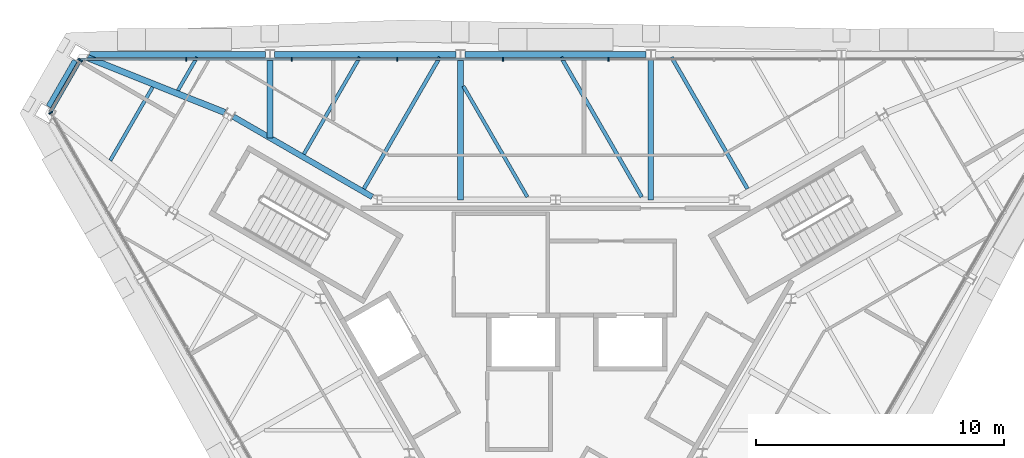
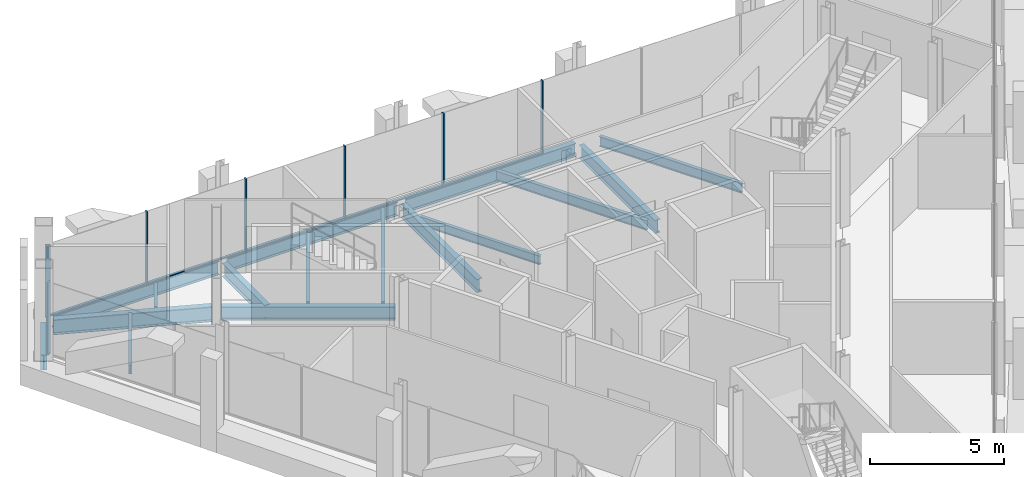
# One storey, part 6 of 13: 16 beams, 13 members, 3 elements without a shape of their own.
"""IFC4 building model written with IfcOpenShell, lengths in metres."""

from ifc_helpers import new_model, si_unit, direction, frame, origin, origin_2d, place, context, subcontext, project, spatial, rectangle, i_section, extrude, material, material_profile, profile_set, type_object, element, aggregate, save


model = new_model("IFC4")

# Units and contexts
model_context = context("Model", 3, precision=1e-05, world=origin(), true_north=direction((0.0, 1.0)))
body_context = subcontext(model_context, "Body", "Model", "MODEL_VIEW")
ifc_project = project(units=[si_unit("LENGTHUNIT", "METRE"), si_unit("AREAUNIT", "SQUARE_METRE"), si_unit("VOLUMEUNIT", "CUBIC_METRE"), si_unit("PLANEANGLEUNIT", "RADIAN"), si_unit("MASSUNIT", "GRAM", prefix="KILO")], contexts=[model_context])

# Site, building, storey
site_placement = place(None, origin())
site = spatial("IfcSite", under=ifc_project, at=site_placement, CompositionType="ELEMENT")
building_placement = place(site_placement, origin())
building = spatial("IfcBuilding", under=site, at=building_placement, Name="Verrane Prism Tower", CompositionType="ELEMENT")
storey_placement = place(building_placement, frame((0.0, 0.0, 312.60009765625)))
storey = spatial("IfcBuildingStorey", under=building, at=storey_placement, Name="L79", CompositionType="ELEMENT", Elevation=312.60009765625)

# Beams
ifc_material_1 = material(Name="Steel A992", Category="steel")
ifc_material_profile_1 = material_profile(ifc_material_1, i_section(OverallWidth=0.25390625, OverallDepth=0.683349609375, WebThickness=0.012451171875, FlangeThickness=0.01904296875, FilletRadius=0.01513671875, at=origin_2d()), Name="W27x94")
ifc_profile_set_1 = profile_set([ifc_material_profile_1], Name="Steel A992")
beam_type_1 = type_object("IfcBeamType", Name="Chamfer spandrel beam W27x94", PredefinedType="SPANDREL", material=ifc_profile_set_1)
beam_1_placement = place(storey_placement, frame((-19.320068359375, 12.390380859375, -0.501708984375), z_axis=(-0.500486898547, -0.865744110221, 0.0), x_axis=(0.865744110221, -0.500486898547, 0.0)))
element("IfcBeam", 1, at=beam_1_placement, inside=storey, type_object=beam_type_1, Name="Chamfer spandrel beam L79", PredefinedType="SPANDREL", context=body_context, shape_type="SweptSolid", body=[
    extrude(i_section(OverallWidth=0.25390625, OverallDepth=0.683349609375, WebThickness=0.012451171875, FlangeThickness=0.01904296875, FilletRadius=0.01513671875, at=origin_2d()), origin(), (0.0, 0.0, 1.0), 2.137451171875),
])
ifc_material_2 = material(Name="Steel A992", Category="steel")
ifc_material_profile_2 = material_profile(ifc_material_2, i_section(OverallWidth=0.228271484375, OverallDepth=0.607177734375, WebThickness=0.01123046875, FlangeThickness=0.017333984375, FilletRadius=0.0126953125, at=origin_2d()), Name="W24x76")
ifc_profile_set_2 = profile_set([ifc_material_profile_2], Name="Steel A992")
beam_type_2 = type_object("IfcBeamType", Name="Core ring girder W24x76", PredefinedType="BEAM", material=ifc_profile_set_2)
beam_2_placement = place(storey_placement, frame((-7.37939453125, 6.9150390625, -0.5537109375), z_axis=(-0.866085504117, 0.499895888719, 0.0), x_axis=(-0.499895888719, -0.866085504117, 0.0)))
element("IfcBeam", 2, at=beam_2_placement, inside=storey, type_object=beam_type_2, Name="Core ring girder L79", PredefinedType="BEAM", context=body_context, shape_type="SweptSolid", body=[
    extrude(i_section(OverallWidth=0.228271484375, OverallDepth=0.607177734375, WebThickness=0.01123046875, FlangeThickness=0.017333984375, FilletRadius=0.0126953125, at=origin_2d()), origin(), (0.0, 0.0, 1.0), 6.45849609375),
])
ifc_material_3 = material(Name="Steel A992", Category="steel")
ifc_material_profile_3 = material_profile(ifc_material_3, i_section(OverallWidth=0.25390625, OverallDepth=0.683349609375, WebThickness=0.012451171875, FlangeThickness=0.01904296875, FilletRadius=0.01513671875, at=origin_2d()), Name="W27x94")
ifc_profile_set_3 = profile_set([ifc_material_profile_3], Name="Steel A992")
beam_type_3 = type_object("IfcBeamType", Name="Corner girder W27x94", PredefinedType="BEAM", material=ifc_profile_set_3)
beam_3_placement = place(storey_placement, frame((-18.841552734375, 12.518798828125, -0.561767578125), z_axis=(0.928587103525, -0.371114525675, 0.0), x_axis=(0.371114525675, 0.928587103525, 0.0)))
element("IfcBeam", 3, at=beam_3_placement, inside=storey, type_object=beam_type_3, Name="Corner girder L79", PredefinedType="BEAM", context=body_context, shape_type="SweptSolid", body=[
    extrude(i_section(OverallWidth=0.25390625, OverallDepth=0.683349609375, WebThickness=0.012451171875, FlangeThickness=0.01904296875, FilletRadius=0.01513671875, at=origin_2d()), origin(), (0.0, 0.0, 1.0), 5.945068359375),
])
ifc_material_4 = material(Name="Steel A992", Category="steel")
ifc_material_profile_4 = material_profile(ifc_material_4, i_section(OverallWidth=0.140380859375, OverallDepth=0.40380859375, WebThickness=0.007080078125, FlangeThickness=0.01123046875, FilletRadius=0.01025390625, at=origin_2d()), Name="W16x31")
ifc_profile_set_4 = profile_set([ifc_material_profile_4], Name="Steel A992")
beam_type_4 = type_object("IfcBeamType", Name="Floor beam W16x31", PredefinedType="BEAM", material=ifc_profile_set_4)
beam_4_placement = place(storey_placement, frame((-1.140380859375, 6.9140625, -0.362060546875), z_axis=(-0.500023314225, 0.866011942892, 0.0), x_axis=(-0.866011942892, -0.500023314225, 0.0)))
element("IfcBeam", 4, at=beam_4_placement, inside=storey, type_object=beam_type_4, Name="Floor beam L79", PredefinedType="BEAM", context=body_context, shape_type="SweptSolid", body=[
    extrude(i_section(OverallWidth=0.140380859375, OverallDepth=0.40380859375, WebThickness=0.007080078125, FlangeThickness=0.01123046875, FilletRadius=0.01025390625, at=origin_2d()), origin(), (0.0, 0.0, 1.0), 5.151123046875),
])
beam_5_placement = place(storey_placement, frame((-10.135498046875, 8.635009765625, -0.362060546875), z_axis=(0.500003959331, 0.866023117852, 0.0), x_axis=(-0.866023117852, 0.500003959331, 0.0)))
element("IfcBeam", 5, at=beam_5_placement, inside=storey, type_object=beam_type_4, Name="Floor beam L79", PredefinedType="BEAM", context=body_context, shape_type="SweptSolid", body=[
    extrude(i_section(OverallWidth=0.140380859375, OverallDepth=0.40380859375, WebThickness=0.007080078125, FlangeThickness=0.01123046875, FilletRadius=0.01025390625, at=origin_2d()), origin(), (0.0, 0.0, 1.0), 4.50439453125),
])
beam_6_placement = place(storey_placement, frame((-15.201904296875, 11.20068359375, -0.362060546875), z_axis=(0.50005597947, 0.86599308161, 0.0), x_axis=(-0.86599308161, 0.50005597947, 0.0)))
element("IfcBeam", 6, at=beam_6_placement, inside=storey, type_object=beam_type_4, Name="Floor beam L79", PredefinedType="BEAM", context=body_context, shape_type="SweptSolid", body=[
    extrude(i_section(OverallWidth=0.140380859375, OverallDepth=0.40380859375, WebThickness=0.007080078125, FlangeThickness=0.01123046875, FilletRadius=0.01025390625, at=origin_2d()), origin(), (0.0, 0.0, 1.0), 1.541748046875),
])
beam_7_placement = place(storey_placement, frame((-17.925048828125, 8.380615234375, -0.362060546875), z_axis=(0.500042619005, 0.866000796292, 0.0), x_axis=(-0.866000796292, 0.500042619005, 0.0)))
element("IfcBeam", 7, at=beam_7_placement, inside=storey, type_object=beam_type_4, Name="Floor beam L79", PredefinedType="BEAM", context=body_context, shape_type="SweptSolid", body=[
    extrude(i_section(OverallWidth=0.140380859375, OverallDepth=0.40380859375, WebThickness=0.007080078125, FlangeThickness=0.01123046875, FilletRadius=0.01025390625, at=origin_2d()), origin(), (0.0, 0.0, 1.0), 3.410400390625),
])
ifc_material_5 = material(Name="Steel A992", Category="steel")
ifc_material_profile_5 = material_profile(ifc_material_5, i_section(OverallWidth=0.15234375, OverallDepth=0.449462890625, WebThickness=0.007568359375, FlangeThickness=0.0107421875, FilletRadius=0.01025390625, at=origin_2d()), Name="W18x35")
ifc_profile_set_5 = profile_set([ifc_material_profile_5], Name="Steel A992")
beam_type_5 = type_object("IfcBeamType", Name="Floor beam W18x35", PredefinedType="BEAM", material=ifc_profile_set_5)
beam_8_placement = place(storey_placement, frame((7.718994140625, 7.2421875, -0.385009765625), z_axis=(-0.500009409241, 0.866019971289, 0.0), x_axis=(-0.866019971289, -0.500009409241, 0.0)))
element("IfcBeam", 8, at=beam_8_placement, inside=storey, type_object=beam_type_5, Name="Floor beam L79", PredefinedType="BEAM", context=body_context, shape_type="SweptSolid", body=[
    extrude(i_section(OverallWidth=0.15234375, OverallDepth=0.449462890625, WebThickness=0.007568359375, FlangeThickness=0.0107421875, FilletRadius=0.01025390625, at=origin_2d()), origin(), (0.0, 0.0, 1.0), 6.11279296875),
])
beam_9_placement = place(storey_placement, frame((3.46240234375, 6.9140625, -0.385009765625), z_axis=(-0.499981816164, 0.866035901972, 0.0), x_axis=(-0.866035901972, -0.499981816164, 0.0)))
element("IfcBeam", 9, at=beam_9_placement, inside=storey, type_object=beam_type_5, Name="Floor beam L79", PredefinedType="BEAM", context=body_context, shape_type="SweptSolid", body=[
    extrude(i_section(OverallWidth=0.15234375, OverallDepth=0.449462890625, WebThickness=0.007568359375, FlangeThickness=0.0107421875, FilletRadius=0.01025390625, at=origin_2d()), origin(), (0.0, 0.0, 1.0), 6.491455078125),
])
beam_10_placement = place(storey_placement, frame((-7.718994140625, 7.2421875, -0.385009765625), z_axis=(0.500009409241, 0.866019971289, 0.0), x_axis=(-0.866019971289, 0.500009409241, 0.0)))
element("IfcBeam", 10, at=beam_10_placement, inside=storey, type_object=beam_type_5, Name="Floor beam L79", PredefinedType="BEAM", context=body_context, shape_type="SweptSolid", body=[
    extrude(i_section(OverallWidth=0.15234375, OverallDepth=0.449462890625, WebThickness=0.007568359375, FlangeThickness=0.0107421875, FilletRadius=0.01025390625, at=origin_2d()), origin(), (0.0, 0.0, 1.0), 6.11279296875),
])

# Curtain wall, members
ifc_material_6 = material(Name="Aluminium framed insulated glazing", Category="aluminium")
curtain_wall_type_1 = type_object("IfcCurtainWallType", Name="Curtain wall CW-C 4200 module", PredefinedType="NOTDEFINED", material=ifc_material_6)
curtain_wall_1_placement = place(storey_placement, origin())
curtain_wall_1 = element("IfcCurtainWall", 11, at=curtain_wall_1_placement, inside=storey, type_object=curtain_wall_type_1, Name="Glazed curtain wall north face L79", PredefinedType="NOTDEFINED")
ifc_material_7 = material(Name="Aluminium alloy 6063-T6", Category="aluminium")
ifc_material_profile_6 = material_profile(ifc_material_7, rectangle(XDim=0.139892578125, YDim=0.050048828125, at=origin_2d()), Name="Mullion 50x140 aluminium")
ifc_profile_set_6 = profile_set([ifc_material_profile_6], Name="Aluminium alloy 6063-T6")
member_type_1 = type_object("IfcMemberType", Name="Mullion 50x140 aluminium", PredefinedType="MULLION", material=ifc_profile_set_6)
member_1_placement = place(storey_placement, frame((2.123779296875, 12.447265625, 0.0), z_axis=(0.0, 0.0, 1.0), x_axis=(0.0, -1.0, 0.0)))
member_1 = element("IfcMember", 12, at=member_1_placement, type_object=member_type_1, Name="CW79.2 mullion 5", PredefinedType="MULLION", context=body_context, shape_type="SweptSolid", body=[
    extrude(rectangle(XDim=0.139892578125, YDim=0.050048828125, at=origin_2d()), origin(), (0.0, 0.0, 1.0), 3.296630859375),
])
member_2_placement = place(storey_placement, frame((-2.123779296875, 12.447265625, 0.0), z_axis=(0.0, 0.0, 1.0), x_axis=(0.0, -1.0, 0.0)))
member_2 = element("IfcMember", 13, at=member_2_placement, type_object=member_type_1, Name="CW79.2 mullion 6", PredefinedType="MULLION", context=body_context, shape_type="SweptSolid", body=[
    extrude(rectangle(XDim=0.139892578125, YDim=0.050048828125, at=origin_2d()), origin(), (0.0, 0.0, 1.0), 3.296630859375),
])
member_3_placement = place(storey_placement, frame((-6.371337890625, 12.447265625, 0.0), z_axis=(0.0, 0.0, 1.0), x_axis=(0.0, -1.0, 0.0)))
member_3 = element("IfcMember", 14, at=member_3_placement, type_object=member_type_1, Name="CW79.2 mullion 7", PredefinedType="MULLION", context=body_context, shape_type="SweptSolid", body=[
    extrude(rectangle(XDim=0.139892578125, YDim=0.050048828125, at=origin_2d()), origin(), (0.0, 0.0, 1.0), 3.296630859375),
])
member_4_placement = place(storey_placement, frame((-10.618896484375, 12.447265625, 0.0), z_axis=(0.0, 0.0, 1.0), x_axis=(0.0, -1.0, 0.0)))
member_4 = element("IfcMember", 15, at=member_4_placement, type_object=member_type_1, Name="CW79.2 mullion 8", PredefinedType="MULLION", context=body_context, shape_type="SweptSolid", body=[
    extrude(rectangle(XDim=0.139892578125, YDim=0.050048828125, at=origin_2d()), origin(), (0.0, 0.0, 1.0), 3.296630859375),
])
member_5_placement = place(storey_placement, frame((-14.866455078125, 12.447265625, 0.0), z_axis=(0.0, 0.0, 1.0), x_axis=(0.0, -1.0, 0.0)))
member_5 = element("IfcMember", 16, at=member_5_placement, type_object=member_type_1, Name="CW79.2 mullion 9", PredefinedType="MULLION", context=body_context, shape_type="SweptSolid", body=[
    extrude(rectangle(XDim=0.139892578125, YDim=0.050048828125, at=origin_2d()), origin(), (0.0, 0.0, 1.0), 3.296630859375),
])

# Curtain wall, member
ifc_material_8 = material(Name="Aluminium framed insulated glazing", Category="aluminium")
curtain_wall_type_2 = type_object("IfcCurtainWallType", Name="Curtain wall CW-B 5600 module", PredefinedType="NOTDEFINED", material=ifc_material_8)
curtain_wall_2_placement = place(storey_placement, origin())
curtain_wall_2 = element("IfcCurtainWall", 17, at=curtain_wall_2_placement, inside=storey, type_object=curtain_wall_type_2, Name="Glazed curtain wall south-west face L79", PredefinedType="NOTDEFINED")
ifc_material_9 = material(Name="Aluminium alloy 6063-T6", Category="aluminium")
ifc_material_profile_7 = material_profile(ifc_material_9, rectangle(XDim=0.159912109375, YDim=0.06005859375, at=origin_2d()), Name="Mullion 60x160 aluminium")
ifc_profile_set_7 = profile_set([ifc_material_profile_7], Name="Aluminium alloy 6063-T6")
member_type_2 = type_object("IfcMemberType", Name="Mullion 60x160 aluminium", PredefinedType="MULLION", material=ifc_profile_set_7)
member_6_placement = place(storey_placement, frame((-20.321533203125, 10.3037109375, 0.0), z_axis=(0.0, 0.0, 1.0), x_axis=(0.866025278644, 0.500000216749, 0.0)))
member_6 = element("IfcMember", 18, at=member_6_placement, type_object=member_type_2, Name="CW79.4 mullion 1", PredefinedType="MULLION", context=body_context, shape_type="SweptSolid", body=[
    extrude(rectangle(XDim=0.159912109375, YDim=0.06005859375, at=origin_2d()), origin(), (0.0, 0.0, 1.0), 3.296630859375),
])
aggregate(curtain_wall_2, [member_6])

ifc_material_10 = material(Name="Aluminium framed insulated glazing", Category="aluminium")
curtain_wall_type_3 = type_object("IfcCurtainWallType", Name="Curtain wall CW-A 8400 module", PredefinedType="NOTDEFINED", material=ifc_material_10)
curtain_wall_3_placement = place(storey_placement, origin())
curtain_wall_3 = element("IfcCurtainWall", 19, at=curtain_wall_3_placement, inside=storey, type_object=curtain_wall_type_3, Name="Glazed curtain wall north-west corner L79", PredefinedType="NOTDEFINED")
ifc_material_11 = material(Name="Aluminium alloy 6063-T6", Category="aluminium")
ifc_material_profile_8 = material_profile(ifc_material_11, rectangle(XDim=0.199951171875, YDim=0.070068359375, at=origin_2d()), Name="Mullion 70x200 aluminium")
ifc_profile_set_8 = profile_set([ifc_material_profile_8], Name="Aluminium alloy 6063-T6")
member_type_3 = type_object("IfcMemberType", Name="Mullion 70x200 aluminium", PredefinedType="MULLION", material=ifc_profile_set_8)
member_7_placement = place(storey_placement, frame((-19.131591796875, 12.4169921875, 0.0), z_axis=(0.0, 0.0, 1.0), x_axis=(0.866024860131, -0.500000941634, 0.0)))
member_7 = element("IfcMember", 20, at=member_7_placement, type_object=member_type_3, Name="CW79.3 mullion 1", PredefinedType="MULLION", context=body_context, shape_type="SweptSolid", body=[
    extrude(rectangle(XDim=0.199951171875, YDim=0.070068359375, at=origin_2d()), origin(), (0.0, 0.0, 1.0), 3.296630859375),
])

# Beams
ifc_material_12 = material(Name="Steel A992", Category="steel")
ifc_material_profile_9 = material_profile(ifc_material_12, i_section(OverallWidth=0.228271484375, OverallDepth=0.607177734375, WebThickness=0.01123046875, FlangeThickness=0.017333984375, FilletRadius=0.0126953125, at=origin_2d()), Name="W24x76")
ifc_profile_set_9 = profile_set([ifc_material_profile_9], Name="Steel A992")
beam_type_6 = type_object("IfcBeamType", Name="Radial girder W24x76", PredefinedType="BEAM", material=ifc_profile_set_9)
for number, where, z_axis, x_axis, name in (
    (21, (3.830078125, 12.4658203125, -0.523681640625), (0.0, -1.0, 0.0), (1.0, 0.0, 0.0), "Radial girder L79"),
    (22, (-3.830078125, 12.4658203125, -0.523681640625), (0.0, -1.0, 0.0), (1.0, 0.0, 0.0), "Radial girder L79"),
):
    element("IfcBeam", number, at=place(storey_placement, frame(where, z_axis=z_axis, x_axis=x_axis)), inside=storey, type_object=beam_type_6, Name=name, PredefinedType="BEAM", context=body_context, shape_type="SweptSolid", body=[
        extrude(i_section(OverallWidth=0.228271484375, OverallDepth=0.607177734375, WebThickness=0.01123046875, FlangeThickness=0.017333984375, FilletRadius=0.0126953125, at=origin_2d()), origin(), (0.0, 0.0, 1.0), 5.665771484375),
    ])
beam_11_placement = place(storey_placement, frame((-11.5, 12.4658203125, -0.523681640625), z_axis=(0.0, -1.0, 0.0), x_axis=(1.0, 0.0, 0.0)))
element("IfcBeam", 23, at=beam_11_placement, inside=storey, type_object=beam_type_6, Name="Radial girder L79", PredefinedType="BEAM", context=body_context, shape_type="SweptSolid", body=[
    extrude(i_section(OverallWidth=0.228271484375, OverallDepth=0.607177734375, WebThickness=0.01123046875, FlangeThickness=0.017333984375, FilletRadius=0.0126953125, at=origin_2d()), origin(), (0.0, 0.0, 1.0), 3.17236328125),
])
ifc_material_13 = material(Name="Steel A992", Category="steel")
ifc_material_profile_10 = material_profile(ifc_material_13, i_section(OverallWidth=0.228271484375, OverallDepth=0.607177734375, WebThickness=0.01123046875, FlangeThickness=0.017333984375, FilletRadius=0.0126953125, at=origin_2d()), Name="W24x76")
ifc_profile_set_10 = profile_set([ifc_material_profile_10], Name="Steel A992")
beam_type_7 = type_object("IfcBeamType", Name="Spandrel beam W24x76", PredefinedType="SPANDREL", material=ifc_profile_set_10)
beam_12_placement = place(storey_placement, frame((3.643310546875, 12.64990234375, -0.463623046875), z_axis=(-1.0, 0.0, 0.0), x_axis=(0.0, -1.0, 0.0)))
element("IfcBeam", 24, at=beam_12_placement, inside=storey, type_object=beam_type_7, Name="Spandrel beam L79", PredefinedType="SPANDREL", context=body_context, shape_type="SweptSolid", body=[
    extrude(i_section(OverallWidth=0.228271484375, OverallDepth=0.607177734375, WebThickness=0.01123046875, FlangeThickness=0.017333984375, FilletRadius=0.0126953125, at=origin_2d()), origin(), (0.0, 0.0, 1.0), 7.28662109375),
])
beam_13_placement = place(storey_placement, frame((-4.0166015625, 12.64990234375, -0.463623046875), z_axis=(-1.0, 0.0, 0.0), x_axis=(0.0, -1.0, 0.0)))
element("IfcBeam", 25, at=beam_13_placement, inside=storey, type_object=beam_type_7, Name="Spandrel beam L79", PredefinedType="SPANDREL", context=body_context, shape_type="SweptSolid", body=[
    extrude(i_section(OverallWidth=0.228271484375, OverallDepth=0.607177734375, WebThickness=0.01123046875, FlangeThickness=0.017333984375, FilletRadius=0.0126953125, at=origin_2d()), origin(), (0.0, 0.0, 1.0), 7.296630859375),
])
beam_14_placement = place(storey_placement, frame((-11.686767578125, 12.64990234375, -0.463623046875), z_axis=(-1.0, 0.0, 0.0), x_axis=(0.0, -1.0, 0.0)))
element("IfcBeam", 26, at=beam_14_placement, inside=storey, type_object=beam_type_7, Name="Spandrel beam L79", PredefinedType="SPANDREL", context=body_context, shape_type="SweptSolid", body=[
    extrude(i_section(OverallWidth=0.228271484375, OverallDepth=0.607177734375, WebThickness=0.01123046875, FlangeThickness=0.017333984375, FilletRadius=0.0126953125, at=origin_2d()), origin(), (0.0, 0.0, 1.0), 7.0791015625),
])

# Member
ifc_material_14 = material(Name="Aluminium alloy 6063-T6", Category="aluminium")
ifc_material_profile_11 = material_profile(ifc_material_14, rectangle(XDim=0.10009765625, YDim=0.050048828125, at=origin_2d()), Name="Transom 50x100 aluminium")
ifc_profile_set_11 = profile_set([ifc_material_profile_11], Name="Aluminium alloy 6063-T6")
member_type_4 = type_object("IfcMemberType", Name="Transom 50x100 aluminium", PredefinedType="USERDEFINED", material=ifc_profile_set_11)
member_8_placement = place(storey_placement, frame((2.098876953125, 12.447265625, 0.02490234375), z_axis=(-1.0, 0.0, 0.0), x_axis=(0.0, -1.0, 0.0)))
member_8 = element("IfcMember", 27, at=member_8_placement, type_object=member_type_4, Name="CW79.2 transom 5", ObjectType="TRANSOM", PredefinedType="USERDEFINED", context=body_context, shape_type="SweptSolid", body=[
    extrude(rectangle(XDim=0.10009765625, YDim=0.050048828125, at=origin_2d()), origin(), (0.0, 0.0, 1.0), 4.19775390625),
])

member_9_placement = place(storey_placement, frame((-2.148681640625, 12.447265625, 0.02490234375), z_axis=(-1.0, 0.0, 0.0), x_axis=(0.0, -1.0, 0.0)))
member_9 = element("IfcMember", 28, at=member_9_placement, type_object=member_type_4, Name="CW79.2 transom 6", ObjectType="TRANSOM", PredefinedType="USERDEFINED", context=body_context, shape_type="SweptSolid", body=[
    extrude(rectangle(XDim=0.10009765625, YDim=0.050048828125, at=origin_2d()), origin(), (0.0, 0.0, 1.0), 4.19775390625),
])

member_10_placement = place(storey_placement, frame((-6.396240234375, 12.447265625, 0.02490234375), z_axis=(-1.0, 0.0, 0.0), x_axis=(0.0, -1.0, 0.0)))
member_10 = element("IfcMember", 29, at=member_10_placement, type_object=member_type_4, Name="CW79.2 transom 7", ObjectType="TRANSOM", PredefinedType="USERDEFINED", context=body_context, shape_type="SweptSolid", body=[
    extrude(rectangle(XDim=0.10009765625, YDim=0.050048828125, at=origin_2d()), origin(), (0.0, 0.0, 1.0), 4.19775390625),
])

member_11_placement = place(storey_placement, frame((-10.643798828125, 12.447265625, 0.02490234375), z_axis=(-1.0, 0.0, 0.0), x_axis=(0.0, -1.0, 0.0)))
member_11 = element("IfcMember", 30, at=member_11_placement, type_object=member_type_4, Name="CW79.2 transom 8", ObjectType="TRANSOM", PredefinedType="USERDEFINED", context=body_context, shape_type="SweptSolid", body=[
    extrude(rectangle(XDim=0.10009765625, YDim=0.050048828125, at=origin_2d()), origin(), (0.0, 0.0, 1.0), 4.19775390625),
])

member_12_placement = place(storey_placement, frame((-14.891357421875, 12.447265625, 0.02490234375), z_axis=(-1.0, 0.0, 0.0), x_axis=(0.0, -1.0, 0.0)))
member_12 = element("IfcMember", 31, at=member_12_placement, type_object=member_type_4, Name="CW79.2 transom 9", ObjectType="TRANSOM", PredefinedType="USERDEFINED", context=body_context, shape_type="SweptSolid", body=[
    extrude(rectangle(XDim=0.10009765625, YDim=0.050048828125, at=origin_2d()), origin(), (0.0, 0.0, 1.0), 4.22265625),
])

aggregate(curtain_wall_1, [member_1, member_2, member_3, member_4, member_5, member_8, member_9, member_10, member_11, member_12])

ifc_material_15 = material(Name="Aluminium alloy 6063-T6", Category="aluminium")
ifc_material_profile_12 = material_profile(ifc_material_15, rectangle(XDim=0.14990234375, YDim=0.070068359375, at=origin_2d()), Name="Transom 70x150 aluminium")
ifc_profile_set_12 = profile_set([ifc_material_profile_12], Name="Aluminium alloy 6063-T6")
member_type_5 = type_object("IfcMemberType", Name="Transom 70x150 aluminium", PredefinedType="USERDEFINED", material=ifc_profile_set_12)
member_13_placement = place(storey_placement, frame((-19.14892578125, 12.386474609375, 0.034912109375), z_axis=(-0.500063520245, -0.865988727248, 0.0), x_axis=(0.865988727248, -0.500063520245, 0.0)))
member_13 = element("IfcMember", 32, at=member_13_placement, type_object=member_type_5, Name="CW79.3 transom 1", ObjectType="TRANSOM", PredefinedType="USERDEFINED", context=body_context, shape_type="SweptSolid", body=[
    extrude(rectangle(XDim=0.14990234375, YDim=0.070068359375, at=origin_2d()), origin(), (0.0, 0.0, 1.0), 2.375244140625),
])

aggregate(curtain_wall_3, [member_7, member_13])

save(model, "model.ifc")
